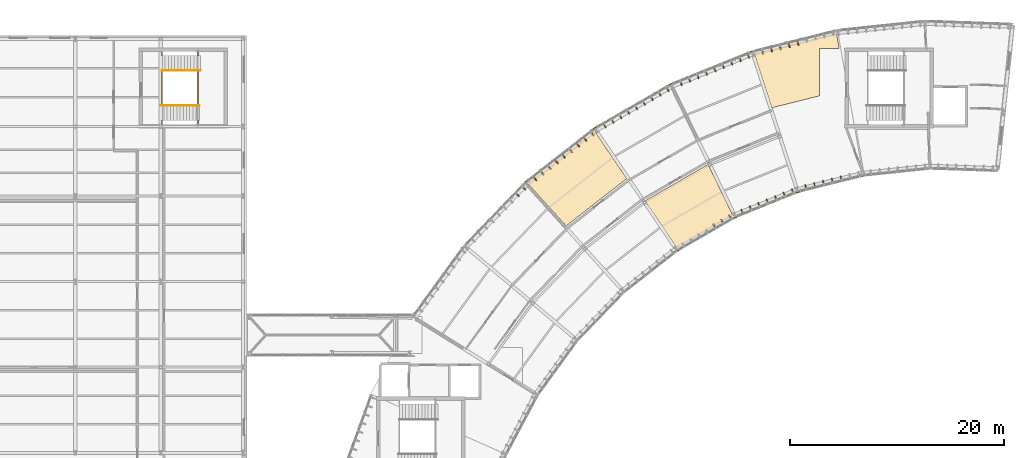
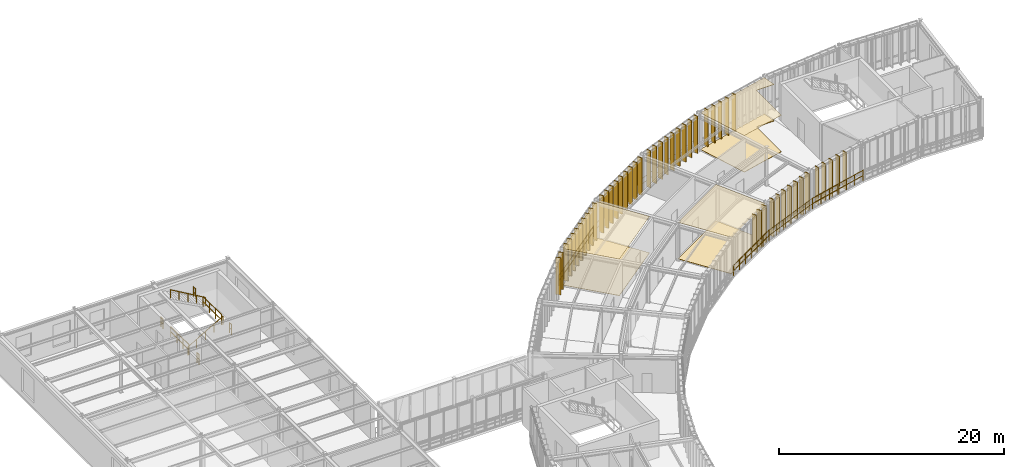
# One storey, part 51 of 52: 55 coverings, 14 railings.
"""IFC4 building model written with IfcOpenShell, lengths in metres."""

from ifc_helpers import new_model, si_unit, direction, frame, origin, origin_2d, place, context, subcontext, project, spatial, polyline, rectangle, circle, outline, extrude, material, layer, layer_set, type_object, element, save


model = new_model("IFC4")

# Units and contexts
model_context = context("Model", 3, precision=1e-05, world=origin(), true_north=direction((0.0, 1.0)))
body_context = subcontext(model_context, "Body", "Model", "MODEL_VIEW")
ifc_project = project(units=[si_unit("LENGTHUNIT", "METRE"), si_unit("AREAUNIT", "SQUARE_METRE"), si_unit("VOLUMEUNIT", "CUBIC_METRE"), si_unit("PLANEANGLEUNIT", "RADIAN"), si_unit("MASSUNIT", "GRAM", prefix="KILO"), si_unit("THERMODYNAMICTEMPERATUREUNIT", "KELVIN"), si_unit("POWERUNIT", "WATT")], contexts=[model_context])

# Site, building, storey
site_placement = place(None, origin())
site = spatial("IfcSite", under=ifc_project, at=site_placement, CompositionType="ELEMENT")
building_placement = place(site_placement, origin())
building = spatial("IfcBuilding", under=site, at=building_placement, Name="Solvatero Civic Police Headquarters", CompositionType="ELEMENT")
storey_placement = place(building_placement, frame((0.0, 0.0, 13.5)))
storey = spatial("IfcBuildingStorey", under=building, at=storey_placement, Name="L03", CompositionType="ELEMENT", Elevation=13.5)

# Coverings
ifc_material_1 = material(Name="Mineral-Fibre Acoustic Tile", Category="gypsum")
ifc_layer_1 = layer(ifc_material_1, 0.02490234375)
ifc_layer_set_1 = layer_set([ifc_layer_1], Name="Mineral-Fibre Acoustic Tile")
covering_type_1 = type_object("IfcCoveringType", Name="COV-CEIL-AC", PredefinedType="CEILING", material=ifc_layer_set_1)
covering_1_placement = place(storey_placement, frame((0.0, 0.0, 3.97509765625)))
element("IfcCovering", 1, at=covering_1_placement, inside=storey, type_object=covering_type_1, Name="Acoustic Ceiling Digital OSINT Analysis Suite Bay 3", PredefinedType="CEILING", context=body_context, shape_type="SweptSolid", body=[
    extrude(outline(polyline([(77.633544921875, 76.7587890625), (75.999267578125, 81.789306640625), (83.682861328125, 83.705078125), (83.92724609375, 82.320068359375), (82.159912109375, 82.320068359375), (82.152099609375, 82.319580078125), (82.144287109375, 82.318603515625), (82.13671875, 82.316650390625), (82.12939453125, 82.31396484375), (82.122314453125, 82.310546875), (82.115478515625, 82.306396484375), (82.109130859375, 82.3017578125), (82.103515625, 82.296630859375), (82.09814453125, 82.290771484375), (82.093505859375, 82.284423828125), (82.08935546875, 82.277587890625), (82.086181640625, 82.2705078125), (82.08349609375, 82.26318359375), (82.08154296875, 82.255615234375), (82.080322265625, 82.247802734375), (82.080078125, 82.239990234375), (82.080078125, 77.8671875), (77.633544921875, 76.7587890625)])), origin(), (0.0, 0.0, 1.0), 0.02490234375),
])
covering_2_placement = place(storey_placement, frame((0.0, 0.0, 3.97509765625)))
element("IfcCovering", 2, at=covering_2_placement, inside=storey, type_object=covering_type_1, Name="Acoustic Ceiling Cybercrime Financial Tracing Unit Bay 5", PredefinedType="CEILING", context=body_context, shape_type="SweptSolid", body=[
    extrude(outline(polyline([(68.7333984375, 63.673828125), (65.775634765625, 68.058837890625), (71.670654296875, 71.46240234375), (73.989501953125, 66.70849609375), (68.7333984375, 63.673828125)])), origin(), (0.0, 0.0, 1.0), 0.02490234375),
])
covering_3_placement = place(storey_placement, frame((0.0, 0.0, 3.97509765625)))
element("IfcCovering", 3, at=covering_3_placement, inside=storey, type_object=covering_type_1, Name="Acoustic Ceiling Digital OSINT Analysis Suite Bay 6", PredefinedType="CEILING", context=body_context, shape_type="SweptSolid", body=[
    extrude(outline(polyline([(58.4033203125, 65.713623046875), (54.864013671875, 69.64453125), (61.10400390625, 74.519775390625), (64.06201171875, 70.134765625), (58.4033203125, 65.713623046875)])), origin(), (0.0, 0.0, 1.0), 0.02490234375),
])
ifc_material_2 = material(Name="Anodized Bronze Aluminium", Category="aluminium")
ifc_layer_2 = layer(ifc_material_2, 0.080078125)
ifc_layer_set_2 = layer_set([ifc_layer_2], Name="Anodized Bronze Aluminium")
covering_type_2 = type_object("IfcCoveringType", Name="COV-FIN-480", PredefinedType="CLADDING", material=ifc_layer_set_2)
for number, where, z_axis, x_axis, name in (
    (4, (80.060546875, 82.8427734375, -0.02001953125), (0.0, 0.0, 1.0), (-0.970295726276, -0.2419218956, 0.0), "Vertical Brise-Soleil Fin 0603"),
    (5, (79.23583984375, 82.63720703125, -0.02001953125), (0.0, 0.0, 1.0), (-0.970295726276, -0.2419218956, 0.0), "Vertical Brise-Soleil Fin 0604"),
    (6, (78.4111328125, 82.431396484375, -0.02001953125), (0.0, 0.0, 1.0), (-0.970295726276, -0.2419218956, 0.0), "Vertical Brise-Soleil Fin 0605"),
    (7, (77.58642578125, 82.225830078125, -0.02001953125), (0.0, 0.0, 1.0), (-0.970295726276, -0.2419218956, 0.0), "Vertical Brise-Soleil Fin 0606"),
    (8, (76.76171875, 82.020263671875, -0.02001953125), (0.0, 0.0, 1.0), (-0.970295726276, -0.2419218956, 0.0), "Vertical Brise-Soleil Fin 0607"),
    (9, (84.114990234375, 70.139892578125, -0.02001953125), (0.0, 0.0, 1.0), (-0.970299948462, -0.241904960708, 0.0), "Vertical Brise-Soleil Fin 0610"),
    (10, (83.290283203125, 69.93408203125, -0.02001953125), (0.0, 0.0, 1.0), (-0.970299948462, -0.241904960708, 0.0), "Vertical Brise-Soleil Fin 0611"),
    (11, (82.465576171875, 69.728515625, -0.02001953125), (0.0, 0.0, 1.0), (-0.970299948462, -0.241904960708, 0.0), "Vertical Brise-Soleil Fin 0612"),
    (12, (81.640869140625, 69.52294921875, -0.02001953125), (0.0, 0.0, 1.0), (-0.970299948462, -0.241904960708, 0.0), "Vertical Brise-Soleil Fin 0613"),
    (13, (80.81591796875, 69.3173828125, -0.02001953125), (0.0, 0.0, 1.0), (-0.970299948462, -0.241904960708, 0.0), "Vertical Brise-Soleil Fin 0614"),
    (14, (75.437744140625, 81.623291015625, -0.02001953125), (0.0, 0.0, 1.0), (-0.927190392544, -0.374590410948, 0.0), "Vertical Brise-Soleil Fin 0615"),
    (15, (74.649658203125, 81.304931640625, -0.02001953125), (0.0, 0.0, 1.0), (-0.927190392544, -0.374590410948, 0.0), "Vertical Brise-Soleil Fin 0616"),
    (16, (73.861572265625, 80.986328125, -0.02001953125), (0.0, 0.0, 1.0), (-0.927190392544, -0.374590410948, 0.0), "Vertical Brise-Soleil Fin 0617"),
    (17, (73.073486328125, 80.66796875, -0.02001953125), (0.0, 0.0, 1.0), (-0.927190392544, -0.374590410948, 0.0), "Vertical Brise-Soleil Fin 0618"),
    (18, (72.285400390625, 80.349609375, -0.02001953125), (0.0, 0.0, 1.0), (-0.927190392544, -0.374590410948, 0.0), "Vertical Brise-Soleil Fin 0619"),
    (19, (71.497314453125, 80.03125, -0.02001953125), (0.0, 0.0, 1.0), (-0.927190392544, -0.374590410948, 0.0), "Vertical Brise-Soleil Fin 0620"),
    (20, (70.709228515625, 79.712890625, -0.02001953125), (0.0, 0.0, 1.0), (-0.927190392544, -0.374590410948, 0.0), "Vertical Brise-Soleil Fin 0621"),
    (21, (69.921142578125, 79.394287109375, -0.02001953125), (0.0, 0.0, 1.0), (-0.927190392544, -0.374590410948, 0.0), "Vertical Brise-Soleil Fin 0622"),
    (22, (69.133056640625, 79.075927734375, -0.02001953125), (0.0, 0.0, 1.0), (-0.927190392544, -0.374590410948, 0.0), "Vertical Brise-Soleil Fin 0623"),
    (23, (79.58544921875, 68.947509765625, -0.02001953125), (0.0, 0.0, 1.0), (-0.927183854567, -0.374606593416, 0.0), "Vertical Brise-Soleil Fin 0624"),
    (24, (78.79736328125, 68.629150390625, -0.02001953125), (0.0, 0.0, 1.0), (-0.927183854567, -0.374606593416, 0.0), "Vertical Brise-Soleil Fin 0625"),
    (25, (78.00927734375, 68.310791015625, -0.02001953125), (0.0, 0.0, 1.0), (-0.927183854567, -0.374606593416, 0.0), "Vertical Brise-Soleil Fin 0626"),
    (26, (77.22119140625, 67.9921875, -0.02001953125), (0.0, 0.0, 1.0), (-0.927183854567, -0.374606593416, 0.0), "Vertical Brise-Soleil Fin 0627"),
    (27, (76.43310546875, 67.673828125, -0.02001953125), (0.0, 0.0, 1.0), (-0.927183854567, -0.374606593416, 0.0), "Vertical Brise-Soleil Fin 0628"),
    (28, (75.64501953125, 67.35546875, -0.02001953125), (0.0, 0.0, 1.0), (-0.927183854567, -0.374606593416, 0.0), "Vertical Brise-Soleil Fin 0629"),
    (29, (74.856689453125, 67.037109375, -0.02001953125), (0.0, 0.0, 1.0), (-0.927183854567, -0.374606593416, 0.0), "Vertical Brise-Soleil Fin 0630"),
    (30, (67.877197265625, 78.49853515625, -0.02001953125), (0.0, 0.0, 1.0), (-0.866034130299, -0.499984884929, 0.0), "Vertical Brise-Soleil Fin 0631"),
    (31, (67.14111328125, 78.073486328125, -0.02001953125), (0.0, 0.0, 1.0), (-0.866034130299, -0.499984884929, 0.0), "Vertical Brise-Soleil Fin 0632"),
    (32, (66.40478515625, 77.6484375, -0.02001953125), (0.0, 0.0, 1.0), (-0.866034130299, -0.499984884929, 0.0), "Vertical Brise-Soleil Fin 0633"),
    (33, (65.668701171875, 77.223388671875, -0.02001953125), (0.0, 0.0, 1.0), (-0.866034130299, -0.499984884929, 0.0), "Vertical Brise-Soleil Fin 0634"),
    (34, (64.9326171875, 76.798583984375, -0.02001953125), (0.0, 0.0, 1.0), (-0.866034130299, -0.499984884929, 0.0), "Vertical Brise-Soleil Fin 0635"),
    (35, (64.196533203125, 76.37353515625, -0.02001953125), (0.0, 0.0, 1.0), (-0.866034130299, -0.499984884929, 0.0), "Vertical Brise-Soleil Fin 0636"),
    (36, (63.46044921875, 75.948486328125, -0.02001953125), (0.0, 0.0, 1.0), (-0.866034130299, -0.499984884929, 0.0), "Vertical Brise-Soleil Fin 0637"),
    (37, (62.724365234375, 75.5234375, -0.02001953125), (0.0, 0.0, 1.0), (-0.866034130299, -0.499984884929, 0.0), "Vertical Brise-Soleil Fin 0638"),
    (38, (61.988037109375, 75.098388671875, -0.02001953125), (0.0, 0.0, 1.0), (-0.866034130299, -0.499984884929, 0.0), "Vertical Brise-Soleil Fin 0639"),
    (39, (73.74853515625, 66.523681640625, -0.02001953125), (0.0, 0.0, 1.0), (-0.866025403784, -0.5, 0.0), "Vertical Brise-Soleil Fin 0640"),
    (40, (73.012451171875, 66.0986328125, -0.02001953125), (0.0, 0.0, 1.0), (-0.866025403784, -0.5, 0.0), "Vertical Brise-Soleil Fin 0641"),
    (41, (72.2763671875, 65.673583984375, -0.02001953125), (0.0, 0.0, 1.0), (-0.866025403784, -0.5, 0.0), "Vertical Brise-Soleil Fin 0642"),
    (42, (60.824951171875, 74.35205078125, -0.02001953125), (0.0, 0.0, 1.0), (-0.788021498807, -0.61564772185, 0.0), "Vertical Brise-Soleil Fin 0647"),
    (43, (60.1552734375, 73.828857421875, -0.02001953125), (0.0, 0.0, 1.0), (-0.788021498807, -0.61564772185, 0.0), "Vertical Brise-Soleil Fin 0648"),
    (44, (59.4853515625, 73.305419921875, -0.02001953125), (0.0, 0.0, 1.0), (-0.788021498807, -0.61564772185, 0.0), "Vertical Brise-Soleil Fin 0649"),
    (45, (58.815673828125, 72.7822265625, -0.02001953125), (0.0, 0.0, 1.0), (-0.788021498807, -0.61564772185, 0.0), "Vertical Brise-Soleil Fin 0650"),
    (46, (58.145751953125, 72.2587890625, -0.02001953125), (0.0, 0.0, 1.0), (-0.788021498807, -0.61564772185, 0.0), "Vertical Brise-Soleil Fin 0651"),
    (47, (57.475830078125, 71.735595703125, -0.02001953125), (0.0, 0.0, 1.0), (-0.788021498807, -0.61564772185, 0.0), "Vertical Brise-Soleil Fin 0652"),
    (48, (56.80615234375, 71.212158203125, -0.02001953125), (0.0, 0.0, 1.0), (-0.788021498807, -0.61564772185, 0.0), "Vertical Brise-Soleil Fin 0653"),
    (49, (56.13623046875, 70.68896484375, -0.02001953125), (0.0, 0.0, 1.0), (-0.788021498807, -0.61564772185, 0.0), "Vertical Brise-Soleil Fin 0654"),
    (50, (55.466552734375, 70.16552734375, -0.02001953125), (0.0, 0.0, 1.0), (-0.788021498807, -0.61564772185, 0.0), "Vertical Brise-Soleil Fin 0655"),
    (51, (54.41845703125, 69.264404296875, -0.02001953125), (0.0, 0.0, 1.0), (-0.694645815505, -0.719351924305, 0.0), "Vertical Brise-Soleil Fin 0663"),
    (52, (53.827880859375, 68.653076171875, -0.02001953125), (0.0, 0.0, 1.0), (-0.694645815505, -0.719351924305, 0.0), "Vertical Brise-Soleil Fin 0664"),
):
    element("IfcCovering", number, at=place(storey_placement, frame(where, z_axis=z_axis, x_axis=x_axis)), inside=storey, type_object=covering_type_2, Name=name, PredefinedType="CLADDING", context=body_context, shape_type="SweptSolid", body=[
        extrude(rectangle(XDim=0.080078125, YDim=0.47998046875, at=origin_2d()), origin(), (0.0, 0.0, 1.0), 4.0400390625),
    ])
ifc_material_3 = material(Name="Venetian Terrazzo Stone", Category="masonry")
ifc_layer_3 = layer(ifc_material_3, 0.034912109375)
ifc_layer_set_3 = layer_set([ifc_layer_3], Name="Venetian Terrazzo Stone")
covering_type_3 = type_object("IfcCoveringType", Name="COV-FLR-TER", PredefinedType="FLOORING", material=ifc_layer_set_3)
covering_4_placement = place(storey_placement, origin())
element("IfcCovering", 53, at=covering_4_placement, inside=storey, type_object=covering_type_3, Name="Flooring Digital OSINT Analysis Suite Bay 3", PredefinedType="FLOORING", context=body_context, shape_type="SweptSolid", body=[
    extrude(outline(polyline([(77.633544921875, 76.7587890625), (75.999267578125, 81.789306640625), (83.682861328125, 83.705078125), (83.92724609375, 82.320068359375), (82.159912109375, 82.320068359375), (82.152099609375, 82.319580078125), (82.144287109375, 82.318603515625), (82.13671875, 82.316650390625), (82.12939453125, 82.31396484375), (82.122314453125, 82.310546875), (82.115478515625, 82.306396484375), (82.109130859375, 82.3017578125), (82.103515625, 82.296630859375), (82.09814453125, 82.290771484375), (82.093505859375, 82.284423828125), (82.08935546875, 82.277587890625), (82.086181640625, 82.2705078125), (82.08349609375, 82.26318359375), (82.08154296875, 82.255615234375), (82.080322265625, 82.247802734375), (82.080078125, 82.239990234375), (82.080078125, 77.8671875), (77.633544921875, 76.7587890625)])), origin(), (0.0, 0.0, 1.0), 0.034912109375),
])
covering_5_placement = place(storey_placement, origin())
element("IfcCovering", 54, at=covering_5_placement, inside=storey, type_object=covering_type_3, Name="Flooring Cybercrime Financial Tracing Unit Bay 5", PredefinedType="FLOORING", context=body_context, shape_type="SweptSolid", body=[
    extrude(outline(polyline([(68.7333984375, 63.673828125), (65.775634765625, 68.058837890625), (71.670654296875, 71.46240234375), (73.989501953125, 66.70849609375), (68.7333984375, 63.673828125)])), origin(), (0.0, 0.0, 1.0), 0.034912109375),
])
covering_6_placement = place(storey_placement, origin())
element("IfcCovering", 55, at=covering_6_placement, inside=storey, type_object=covering_type_3, Name="Flooring Digital OSINT Analysis Suite Bay 6", PredefinedType="FLOORING", context=body_context, shape_type="SweptSolid", body=[
    extrude(outline(polyline([(58.4033203125, 65.713623046875), (54.864013671875, 69.64453125), (61.10400390625, 74.519775390625), (64.06201171875, 70.134765625), (58.4033203125, 65.713623046875)])), origin(), (0.0, 0.0, 1.0), 0.034912109375),
])

# Railings
ifc_material_4 = material(Name="Anodized Bronze and Laminated Glass", Category="glass")
railing_type_1 = type_object("IfcRailingType", Name="RL-BAL-115", PredefinedType="BALUSTRADE", material=ifc_material_4)
railing_1_placement = place(storey_placement, frame((86.17529296875, 70.37548828125, 0.0)))
element("IfcRailing", 56, at=railing_1_placement, inside=storey, type_object=railing_type_1, Name="Glazed Facade Sill Balustrade RL-L03-ARCIN-B03", PredefinedType="BALUSTRADE", context=body_context, shape_type="SweptSolid", body=[
    extrude(circle(Radius=0.02392578125, at=origin_2d()), frame((0.0, 0.0, 1.1259765625), z_axis=(-0.970288531479, -0.241950750525, 0.0), x_axis=(0.241950750525, -0.970288531479, 0.0)), (0.0, 0.0, 1.0), 6.286376953125),
    extrude(circle(Radius=0.02392578125, at=origin_2d()), frame((0.0, 0.0, 0.55078125), z_axis=(-0.970288531479, -0.241950750525, 0.0), x_axis=(0.241950750525, -0.970288531479, 0.0)), (0.0, 0.0, 1.0), 6.286376953125),
    extrude(circle(Radius=0.02099609375, at=origin_2d()), origin(), (0.0, 0.0, 1.0), 1.101806640625),
    extrude(circle(Radius=0.02099609375, at=origin_2d()), frame((-1.0166015625, -0.25341796875, 0.0)), (0.0, 0.0, 1.0), 1.101806640625),
    extrude(circle(Radius=0.02099609375, at=origin_2d()), frame((-2.033203125, -0.507080078125, 0.0)), (0.0, 0.0, 1.0), 1.101806640625),
    extrude(circle(Radius=0.02099609375, at=origin_2d()), frame((-3.0498046875, -0.760498046875, 0.0)), (0.0, 0.0, 1.0), 1.101806640625),
    extrude(circle(Radius=0.02099609375, at=origin_2d()), frame((-4.06640625, -1.013916015625, 0.0)), (0.0, 0.0, 1.0), 1.101806640625),
    extrude(circle(Radius=0.02099609375, at=origin_2d()), frame((-5.0830078125, -1.267578125, 0.0)), (0.0, 0.0, 1.0), 1.101806640625),
    extrude(circle(Radius=0.02099609375, at=origin_2d()), frame((-6.099609375, -1.52099609375, 0.0)), (0.0, 0.0, 1.0), 1.101806640625),
])
railing_2_placement = place(storey_placement, frame((80.07568359375, 68.8544921875, 0.0)))
element("IfcRailing", 57, at=railing_2_placement, inside=storey, type_object=railing_type_1, Name="Glazed Facade Sill Balustrade RL-L03-ARCIN-B04", PredefinedType="BALUSTRADE", context=body_context, shape_type="SweptSolid", body=[
    extrude(circle(Radius=0.02392578125, at=origin_2d()), frame((0.0, 0.0, 1.1259765625), z_axis=(-0.927193595022, -0.374582484041, 0.0), x_axis=(0.374582484041, -0.927193595022, 0.0)), (0.0, 0.0, 1.0), 6.286376953125),
    extrude(circle(Radius=0.02392578125, at=origin_2d()), frame((0.0, 0.0, 0.55078125), z_axis=(-0.927193595022, -0.374582484041, 0.0), x_axis=(0.374582484041, -0.927193595022, 0.0)), (0.0, 0.0, 1.0), 6.286376953125),
    extrude(circle(Radius=0.02099609375, at=origin_2d()), origin(), (0.0, 0.0, 1.0), 1.101806640625),
    extrude(circle(Radius=0.02099609375, at=origin_2d()), frame((-0.971435546875, -0.392578125, 0.0)), (0.0, 0.0, 1.0), 1.101806640625),
    extrude(circle(Radius=0.02099609375, at=origin_2d()), frame((-1.94287109375, -0.784912109375, 0.0)), (0.0, 0.0, 1.0), 1.101806640625),
    extrude(circle(Radius=0.02099609375, at=origin_2d()), frame((-2.914306640625, -1.17724609375, 0.0)), (0.0, 0.0, 1.0), 1.101806640625),
    extrude(circle(Radius=0.02099609375, at=origin_2d()), frame((-3.8857421875, -1.56982421875, 0.0)), (0.0, 0.0, 1.0), 1.101806640625),
    extrude(circle(Radius=0.02099609375, at=origin_2d()), frame((-4.857177734375, -1.96240234375, 0.0)), (0.0, 0.0, 1.0), 1.101806640625),
    extrude(circle(Radius=0.02099609375, at=origin_2d()), frame((-5.82861328125, -2.354736328125, 0.0)), (0.0, 0.0, 1.0), 1.101806640625),
])
railing_3_placement = place(storey_placement, frame((75.78662109375, 82.055419921875, 0.0)))
element("IfcRailing", 58, at=railing_3_placement, inside=storey, type_object=railing_type_1, Name="Glazed Facade Sill Balustrade RL-L03-ARCOUT-B04", PredefinedType="BALUSTRADE", context=body_context, shape_type="SweptSolid", body=[
    extrude(circle(Radius=0.02392578125, at=origin_2d()), frame((0.0, 0.0, 1.1259765625), z_axis=(-0.927176996953, -0.374623566158, 0.0), x_axis=(0.374623566158, -0.927176996953, 0.0)), (0.0, 0.0, 1.0), 8.22314453125),
    extrude(circle(Radius=0.02392578125, at=origin_2d()), frame((0.0, 0.0, 0.55078125), z_axis=(-0.927176996953, -0.374623566158, 0.0), x_axis=(0.374623566158, -0.927176996953, 0.0)), (0.0, 0.0, 1.0), 8.22314453125),
    extrude(circle(Radius=0.02099609375, at=origin_2d()), origin(), (0.0, 0.0, 1.0), 1.101806640625),
    extrude(circle(Radius=0.02099609375, at=origin_2d()), frame((-1.089111328125, -0.440185546875, 0.0)), (0.0, 0.0, 1.0), 1.101806640625),
    extrude(circle(Radius=0.02099609375, at=origin_2d()), frame((-2.178466796875, -0.880126953125, 0.0)), (0.0, 0.0, 1.0), 1.101806640625),
    extrude(circle(Radius=0.02099609375, at=origin_2d()), frame((-3.267578125, -1.3203125, 0.0)), (0.0, 0.0, 1.0), 1.101806640625),
    extrude(circle(Radius=0.02099609375, at=origin_2d()), frame((-4.356689453125, -1.76025390625, 0.0)), (0.0, 0.0, 1.0), 1.101806640625),
    extrude(circle(Radius=0.02099609375, at=origin_2d()), frame((-5.44580078125, -2.200439453125, 0.0)), (0.0, 0.0, 1.0), 1.101806640625),
    extrude(circle(Radius=0.02099609375, at=origin_2d()), frame((-6.53515625, -2.640380859375, 0.0)), (0.0, 0.0, 1.0), 1.101806640625),
    extrude(circle(Radius=0.02099609375, at=origin_2d()), frame((-7.624267578125, -3.08056640625, 0.0)), (0.0, 0.0, 1.0), 1.101806640625),
])
railing_4_placement = place(storey_placement, frame((74.2470703125, 66.499755859375, 0.0)))
element("IfcRailing", 59, at=railing_4_placement, inside=storey, type_object=railing_type_1, Name="Glazed Facade Sill Balustrade RL-L03-ARCIN-B05", PredefinedType="BALUSTRADE", context=body_context, shape_type="SweptSolid", body=[
    extrude(circle(Radius=0.02392578125, at=origin_2d()), frame((0.0, 0.0, 1.1259765625), z_axis=(-0.866023907196, -0.500002592159, 0.0), x_axis=(0.500002592159, -0.866023907196, 0.0)), (0.0, 0.0, 1.0), 6.28662109375),
    extrude(circle(Radius=0.02392578125, at=origin_2d()), frame((0.0, 0.0, 0.55078125), z_axis=(-0.866023907196, -0.500002592159, 0.0), x_axis=(0.500002592159, -0.866023907196, 0.0)), (0.0, 0.0, 1.0), 6.28662109375),
    extrude(circle(Radius=0.02099609375, at=origin_2d()), origin(), (0.0, 0.0, 1.0), 1.101806640625),
    extrude(circle(Radius=0.02099609375, at=origin_2d()), frame((-0.907470703125, -0.52392578125, 0.0)), (0.0, 0.0, 1.0), 1.101806640625),
    extrude(circle(Radius=0.02099609375, at=origin_2d()), frame((-1.814697265625, -1.0478515625, 0.0)), (0.0, 0.0, 1.0), 1.101806640625),
    extrude(circle(Radius=0.02099609375, at=origin_2d()), frame((-2.72216796875, -1.57177734375, 0.0)), (0.0, 0.0, 1.0), 1.101806640625),
    extrude(circle(Radius=0.02099609375, at=origin_2d()), frame((-3.629638671875, -2.095458984375, 0.0)), (0.0, 0.0, 1.0), 1.101806640625),
    extrude(circle(Radius=0.02099609375, at=origin_2d()), frame((-4.536865234375, -2.619384765625, 0.0)), (0.0, 0.0, 1.0), 1.101806640625),
    extrude(circle(Radius=0.02099609375, at=origin_2d()), frame((-5.4443359375, -3.143310546875, 0.0)), (0.0, 0.0, 1.0), 1.101806640625),
])
railing_5_placement = place(storey_placement, frame((68.162353515625, 78.974853515625, 0.0)))
element("IfcRailing", 60, at=railing_5_placement, inside=storey, type_object=railing_type_1, Name="Glazed Facade Sill Balustrade RL-L03-ARCOUT-B05", PredefinedType="BALUSTRADE", context=body_context, shape_type="SweptSolid", body=[
    extrude(circle(Radius=0.02392578125, at=origin_2d()), frame((0.0, 0.0, 1.1259765625), z_axis=(-0.866027366358, -0.499996600708, 0.0), x_axis=(0.499996600708, -0.866027366358, 0.0)), (0.0, 0.0, 1.0), 8.22265625),
    extrude(circle(Radius=0.02392578125, at=origin_2d()), frame((0.0, 0.0, 0.55078125), z_axis=(-0.866027366358, -0.499996600708, 0.0), x_axis=(0.499996600708, -0.866027366358, 0.0)), (0.0, 0.0, 1.0), 8.22265625),
    extrude(circle(Radius=0.02099609375, at=origin_2d()), origin(), (0.0, 0.0, 1.0), 1.101806640625),
    extrude(circle(Radius=0.02099609375, at=origin_2d()), frame((-1.017333984375, -0.58740234375, 0.0)), (0.0, 0.0, 1.0), 1.101806640625),
    extrude(circle(Radius=0.02099609375, at=origin_2d()), frame((-2.03466796875, -1.174560546875, 0.0)), (0.0, 0.0, 1.0), 1.101806640625),
    extrude(circle(Radius=0.02099609375, at=origin_2d()), frame((-3.052001953125, -1.761962890625, 0.0)), (0.0, 0.0, 1.0), 1.101806640625),
    extrude(circle(Radius=0.02099609375, at=origin_2d()), frame((-4.069091796875, -2.349365234375, 0.0)), (0.0, 0.0, 1.0), 1.101806640625),
    extrude(circle(Radius=0.02099609375, at=origin_2d()), frame((-5.08642578125, -2.936767578125, 0.0)), (0.0, 0.0, 1.0), 1.101806640625),
    extrude(circle(Radius=0.02099609375, at=origin_2d()), frame((-6.103759765625, -3.52392578125, 0.0)), (0.0, 0.0, 1.0), 1.101806640625),
    extrude(circle(Radius=0.02099609375, at=origin_2d()), frame((-7.12109375, -4.111328125, 0.0)), (0.0, 0.0, 1.0), 1.101806640625),
])
railing_6_placement = place(storey_placement, frame((61.041259765625, 74.863525390625, 0.0)))
element("IfcRailing", 61, at=railing_6_placement, inside=storey, type_object=railing_type_1, Name="Glazed Facade Sill Balustrade RL-L03-ARCOUT-B06", PredefinedType="BALUSTRADE", context=body_context, shape_type="SweptSolid", body=[
    extrude(circle(Radius=0.02392578125, at=origin_2d()), frame((0.0, 0.0, 1.1259765625), z_axis=(-0.788023473491, -0.61564519427, 0.0), x_axis=(0.61564519427, -0.788023473491, 0.0)), (0.0, 0.0, 1.0), 8.22314453125),
    extrude(circle(Radius=0.02392578125, at=origin_2d()), frame((0.0, 0.0, 0.55078125), z_axis=(-0.788023473491, -0.61564519427, 0.0), x_axis=(0.61564519427, -0.788023473491, 0.0)), (0.0, 0.0, 1.0), 8.22314453125),
    extrude(circle(Radius=0.02099609375, at=origin_2d()), origin(), (0.0, 0.0, 1.0), 1.101806640625),
    extrude(circle(Radius=0.02099609375, at=origin_2d()), frame((-0.92578125, -0.72314453125, 0.0)), (0.0, 0.0, 1.0), 1.101806640625),
    extrude(circle(Radius=0.02099609375, at=origin_2d()), frame((-1.851318359375, -1.446533203125, 0.0)), (0.0, 0.0, 1.0), 1.101806640625),
    extrude(circle(Radius=0.02099609375, at=origin_2d()), frame((-2.777099609375, -2.169677734375, 0.0)), (0.0, 0.0, 1.0), 1.101806640625),
    extrude(circle(Radius=0.02099609375, at=origin_2d()), frame((-3.702880859375, -2.892822265625, 0.0)), (0.0, 0.0, 1.0), 1.101806640625),
    extrude(circle(Radius=0.02099609375, at=origin_2d()), frame((-4.628662109375, -3.615966796875, 0.0)), (0.0, 0.0, 1.0), 1.101806640625),
    extrude(circle(Radius=0.02099609375, at=origin_2d()), frame((-5.55419921875, -4.33935546875, 0.0)), (0.0, 0.0, 1.0), 1.101806640625),
    extrude(circle(Radius=0.02099609375, at=origin_2d()), frame((-6.47998046875, -5.0625, 0.0)), (0.0, 0.0, 1.0), 1.101806640625),
])
ifc_material_5 = material(Name="Painted Galvanized Steel", Category="steel")
railing_type_2 = type_object("IfcRailingType", Name="RL-GRD-110", PredefinedType="GUARDRAIL", material=ifc_material_5)
railing_7_placement = place(storey_placement, frame((20.6298828125, 76.97998046875, 0.0)))
element("IfcRailing", 62, at=railing_7_placement, inside=storey, type_object=railing_type_2, Name="ST-C4 L03 Floor Well Guardrail", PredefinedType="GUARDRAIL", context=body_context, shape_type="SweptSolid", body=[
    extrude(circle(Radius=0.02392578125, at=origin_2d()), frame((0.0, 0.0, 1.09619140625), z_axis=(0.0, 1.0, 0.0), x_axis=(-1.0, 0.0, 0.0)), (0.0, 0.0, 1.0), 3.239990234375),
    extrude(circle(Radius=0.02392578125, at=origin_2d()), frame((0.0, 0.0, 0.5361328125), z_axis=(0.0, 1.0, 0.0), x_axis=(-1.0, 0.0, 0.0)), (0.0, 0.0, 1.0), 3.239990234375),
    extrude(circle(Radius=0.02099609375, at=origin_2d()), origin(), (0.0, 0.0, 1.0), 1.072021484375),
    extrude(circle(Radius=0.02099609375, at=origin_2d()), frame((0.0, 1.080078125, 0.0)), (0.0, 0.0, 1.0), 1.072021484375),
    extrude(circle(Radius=0.02099609375, at=origin_2d()), frame((0.0, 2.159912109375, 0.0)), (0.0, 0.0, 1.0), 1.072021484375),
    extrude(circle(Radius=0.02099609375, at=origin_2d()), frame((0.0, 3.239990234375, 0.0)), (0.0, 0.0, 1.0), 1.072021484375),
])
for number, where, name in (
    (63, (20.6298828125, 75.2099609375, 0.0), "ST-C4 L03 Floor Well South Slot Guardrail"),
    (64, (20.6298828125, 81.6298828125, 0.0), "ST-C4 L03 Floor Well North Slot Guardrail"),
):
    element("IfcRailing", number, at=place(storey_placement, frame(where)), inside=storey, type_object=railing_type_2, Name=name, PredefinedType="GUARDRAIL", context=body_context, shape_type="SweptSolid", body=[
        extrude(circle(Radius=0.02392578125, at=origin_2d()), frame((0.0, 0.0, 1.09619140625), z_axis=(0.0, 1.0, 0.0), x_axis=(-1.0, 0.0, 0.0)), (0.0, 0.0, 1.0), 0.360107421875),
        extrude(circle(Radius=0.02392578125, at=origin_2d()), frame((0.0, 0.0, 0.5361328125), z_axis=(0.0, 1.0, 0.0), x_axis=(-1.0, 0.0, 0.0)), (0.0, 0.0, 1.0), 0.360107421875),
        extrude(circle(Radius=0.02099609375, at=origin_2d()), origin(), (0.0, 0.0, 1.0), 1.072021484375),
        extrude(circle(Radius=0.02099609375, at=origin_2d()), frame((0.0, 0.360107421875, 0.0)), (0.0, 0.0, 1.0), 1.072021484375),
    ])
railing_8_placement = place(storey_placement, frame((23.969970703125, 76.97998046875, 2.10009765625)))
element("IfcRailing", 65, at=railing_8_placement, inside=storey, type_object=railing_type_2, Name="ST-C4 L03 Half-Landing Well Guardrail", PredefinedType="GUARDRAIL", context=body_context, shape_type="SweptSolid", body=[
    extrude(circle(Radius=0.02392578125, at=origin_2d()), frame((0.0, 0.0, 1.09619140625), z_axis=(0.0, 1.0, 0.0), x_axis=(-1.0, 0.0, 0.0)), (0.0, 0.0, 1.0), 3.239990234375),
    extrude(circle(Radius=0.02392578125, at=origin_2d()), frame((0.0, 0.0, 0.5361328125), z_axis=(0.0, 1.0, 0.0), x_axis=(-1.0, 0.0, 0.0)), (0.0, 0.0, 1.0), 3.239990234375),
    extrude(circle(Radius=0.02099609375, at=origin_2d()), origin(), (0.0, 0.0, 1.0), 1.072021484375),
    extrude(circle(Radius=0.02099609375, at=origin_2d()), frame((0.0, 1.080078125, 0.0)), (0.0, 0.0, 1.0), 1.072021484375),
    extrude(circle(Radius=0.02099609375, at=origin_2d()), frame((0.0, 2.159912109375, 0.0)), (0.0, 0.0, 1.0), 1.072021484375),
    extrude(circle(Radius=0.02099609375, at=origin_2d()), frame((0.0, 3.239990234375, 0.0)), (0.0, 0.0, 1.0), 1.072021484375),
])
for number, where, name in (
    (66, (23.969970703125, 75.2099609375, 2.10009765625), "ST-C4 L03 Half-Landing South Slot Guardrail"),
    (67, (23.969970703125, 81.6298828125, 2.10009765625), "ST-C4 L03 Half-Landing North Slot Guardrail"),
):
    element("IfcRailing", number, at=place(storey_placement, frame(where)), inside=storey, type_object=railing_type_2, Name=name, PredefinedType="GUARDRAIL", context=body_context, shape_type="SweptSolid", body=[
        extrude(circle(Radius=0.02392578125, at=origin_2d()), frame((0.0, 0.0, 1.09619140625), z_axis=(0.0, 1.0, 0.0), x_axis=(-1.0, 0.0, 0.0)), (0.0, 0.0, 1.0), 0.360107421875),
        extrude(circle(Radius=0.02392578125, at=origin_2d()), frame((0.0, 0.0, 0.5361328125), z_axis=(0.0, 1.0, 0.0), x_axis=(-1.0, 0.0, 0.0)), (0.0, 0.0, 1.0), 0.360107421875),
        extrude(circle(Radius=0.02099609375, at=origin_2d()), origin(), (0.0, 0.0, 1.0), 1.072021484375),
        extrude(circle(Radius=0.02099609375, at=origin_2d()), frame((0.0, 0.360107421875, 0.0)), (0.0, 0.0, 1.0), 1.072021484375),
    ])
ifc_material_6 = material(Name="Brushed Stainless Steel", Category="steel")
railing_type_3 = type_object("IfcRailingType", Name="RL-HND-092", PredefinedType="HANDRAIL", material=ifc_material_6)
railing_9_placement = place(storey_placement, frame((20.5, 76.949951171875, 0.0)))
element("IfcRailing", 68, at=railing_9_placement, inside=storey, type_object=railing_type_3, Name="ST-C4 L03 Flight 1 Handrail", PredefinedType="HANDRAIL", context=body_context, shape_type="SweptSolid", body=[
    extrude(circle(Radius=0.02392578125, at=origin_2d()), frame((0.0, 0.0, 0.89599609375), z_axis=(0.863774651768, 0.0, 0.503878309678), x_axis=(0.0, 1.0, 0.0)), (0.0, 0.0, 1.0), 4.16796875),
    extrude(circle(Radius=0.02099609375, at=origin_2d()), origin(), (0.0, 0.0, 1.0), 0.871826171875),
    extrude(circle(Radius=0.02099609375, at=origin_2d()), frame((0.89990234375, 0.0, 0.52490234375)), (0.0, 0.0, 1.0), 0.871826171875),
    extrude(circle(Radius=0.02099609375, at=origin_2d()), frame((1.800048828125, 0.0, 1.050048828125)), (0.0, 0.0, 1.0), 0.871826171875),
    extrude(circle(Radius=0.02099609375, at=origin_2d()), frame((2.7001953125, 0.0, 1.5751953125)), (0.0, 0.0, 1.0), 0.871826171875),
    extrude(circle(Radius=0.02099609375, at=origin_2d()), frame((3.60009765625, 0.0, 2.10009765625)), (0.0, 0.0, 1.0), 0.871826171875),
])
railing_10_placement = place(storey_placement, frame((24.199951171875, 80.25, 2.10009765625)))
element("IfcRailing", 69, at=railing_10_placement, inside=storey, type_object=railing_type_3, Name="ST-C4 L03 Flight 2 Handrail", PredefinedType="HANDRAIL", context=body_context, shape_type="SweptSolid", body=[
    extrude(circle(Radius=0.02392578125, at=origin_2d()), frame((0.0, 0.0, 0.89599609375), z_axis=(-0.86378527499, 0.0, 0.503860098351), x_axis=(0.0, -1.0, 0.0)), (0.0, 0.0, 1.0), 4.16748046875),
    extrude(circle(Radius=0.02099609375, at=origin_2d()), origin(), (0.0, 0.0, 1.0), 0.871826171875),
    extrude(circle(Radius=0.02099609375, at=origin_2d()), frame((-0.89990234375, 0.0, 0.52490234375)), (0.0, 0.0, 1.0), 0.871826171875),
    extrude(circle(Radius=0.02099609375, at=origin_2d()), frame((-1.7998046875, 0.0, 1.0498046875)), (0.0, 0.0, 1.0), 0.871826171875),
    extrude(circle(Radius=0.02099609375, at=origin_2d()), frame((-2.699951171875, 0.0, 1.574951171875)), (0.0, 0.0, 1.0), 0.871826171875),
    extrude(circle(Radius=0.02099609375, at=origin_2d()), frame((-3.599853515625, 0.0, 2.099853515625)), (0.0, 0.0, 1.0), 0.871826171875),
])

save(model, "model.ifc")
